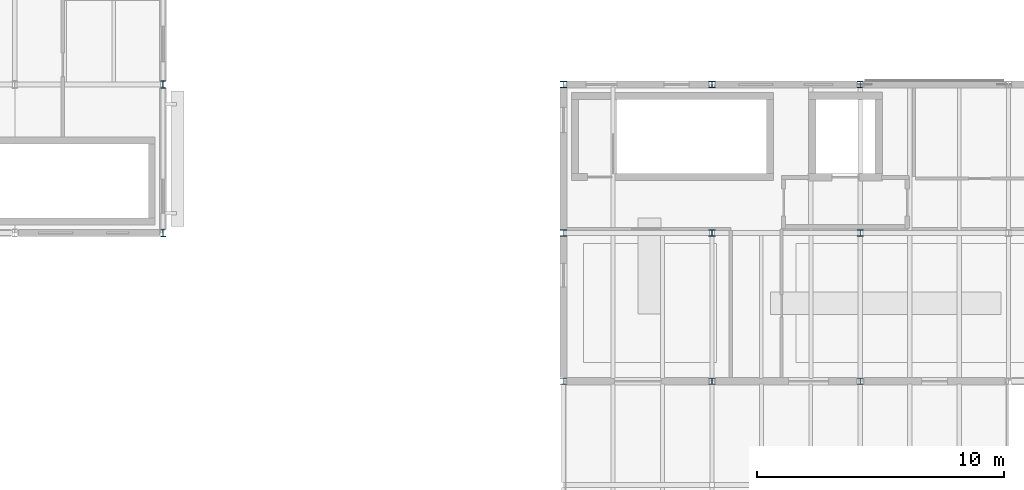
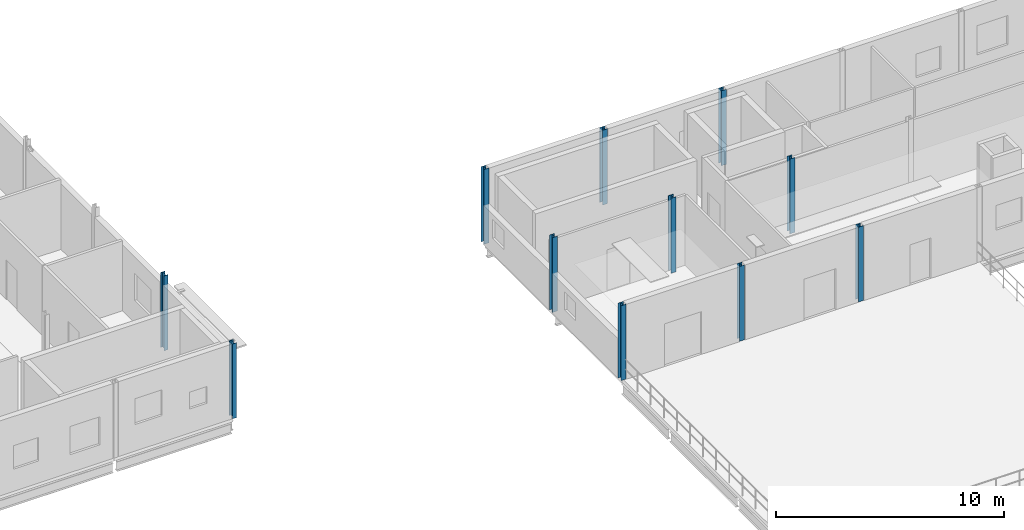
# One storey, part 4 of 45: 11 columns.
"""IFC4 building model written with IfcOpenShell, lengths in metres."""

import ifcopenshell
import ifcopenshell.guid

model = None  # the IFC model being written
_history = None  # IfcOwnerHistory: only IFC2X3 demands one
_inside = {}  # id of a spatial element -> (the spatial element, [elements in it])
_under = {}  # id of a project, library or spatial element -> (it, [spatial elements below it])
_declared = {}  # id of a project -> (the project, [libraries it declares])
_typed = {}  # id of a type object -> (the type object, [elements of that type])
_made_of = {}  # id of a material, layer set ... -> (it, [elements and type objects made of it])


def new_model(schema):
    """Start an empty IFC model of exactly this schema.

    Asked for "IFC4X3", IfcOpenShell would pick the latest addendum, in which some entities
    have other attributes; the version numbers below select the first issue.
    IFC2X3 requires an IfcOwnerHistory on every rooted entity: one is made here for all.
    """
    global model, _history
    if schema == "IFC4X3":
        model = ifcopenshell.file(schema_version=(4, 3, 0, 0))
    else:
        model = ifcopenshell.file(schema=schema)
    _inside.clear()
    _under.clear()
    _declared.clear()
    _typed.clear()
    _made_of.clear()
    _history = None
    if model.schema == "IFC2X3":
        org = make("IfcOrganization", Name="unknown")
        user = make(
            "IfcPersonAndOrganization",
            ThePerson=make("IfcPerson", FamilyName="unknown"),
            TheOrganization=org,
        )
        app = make(
            "IfcApplication",
            ApplicationDeveloper=org,
            Version="unknown",
            ApplicationFullName="unknown",
            ApplicationIdentifier="unknown",
        )
        _history = make(
            "IfcOwnerHistory",
            OwningUser=user,
            OwningApplication=app,
            ChangeAction="ADDED",
            CreationDate=0,
        )
    return model


def make(cls, **values):
    """One entity of the class cls with the attributes given. An attribute that is None is left unset."""
    return model.create_entity(
        cls, **{name: value for name, value in values.items() if value is not None}
    )


def rooted(cls, **values):
    """An entity with a GlobalId (a new one), such as an element, a storey or a relation."""
    return make(cls, GlobalId=ifcopenshell.guid.new(), OwnerHistory=_history, **values)


def si_unit(unit_type, name, prefix=None):
    """IfcSIUnit, for example si_unit("LENGTHUNIT", "METRE", prefix="MILLI")."""
    return make("IfcSIUnit", UnitType=unit_type, Prefix=prefix, Name=name)


def assignment(units):
    """IfcUnitAssignment: the units of a project."""
    return None if units is None else make("IfcUnitAssignment", Units=units)


def point(xyz):
    """IfcCartesianPoint."""
    return None if xyz is None else make("IfcCartesianPoint", Coordinates=xyz)


def direction(xyz):
    """IfcDirection."""
    return None if xyz is None else make("IfcDirection", DirectionRatios=xyz)


def frame(location, z_axis=None, x_axis=None):
    """IfcAxis2Placement3D, a coordinate frame: its origin and axes. An axis left out is left unset."""
    return make(
        "IfcAxis2Placement3D",
        Location=point(location),
        Axis=direction(z_axis),
        RefDirection=direction(x_axis),
    )


def frame_2d(location, x_axis=None):
    """IfcAxis2Placement2D, a coordinate frame in the plane: its origin and x axis."""
    return make(
        "IfcAxis2Placement2D", Location=point(location), RefDirection=direction(x_axis)
    )


def origin():
    """The frame at (0, 0, 0) with its axes left unset."""
    return frame((0.0, 0.0, 0.0))


def origin_2d():
    """The frame at (0, 0) in the plane with its x axis left unset."""
    return frame_2d((0.0, 0.0))


def place(relative_to, where):
    """IfcLocalPlacement: puts the frame where relative to a parent placement (None: the world)."""
    return make(
        "IfcLocalPlacement", PlacementRelTo=relative_to, RelativePlacement=where
    )


def context(
    kind, dimensions, precision=None, world=None, true_north=None, identifier=None
):
    """IfcGeometricRepresentationContext, for example the 3D "Model" context."""
    return make(
        "IfcGeometricRepresentationContext",
        ContextIdentifier=identifier,
        ContextType=kind,
        CoordinateSpaceDimension=dimensions,
        Precision=precision,
        WorldCoordinateSystem=world,
        TrueNorth=true_north,
    )


def subcontext(parent, identifier, kind, view, scale=None):
    """IfcGeometricRepresentationSubContext, for example "Body" below "Model"."""
    return make(
        "IfcGeometricRepresentationSubContext",
        ContextIdentifier=identifier,
        ContextType=kind,
        ParentContext=parent,
        TargetScale=scale,
        TargetView=view,
    )


def project(units=None, contexts=None):
    """IfcProject with its units and contexts."""
    return rooted(
        "IfcProject",
        Name="project",
        RepresentationContexts=contexts,
        UnitsInContext=assignment(units),
    )


def spatial(cls, under=None, at=None, **own):
    """A site, building, storey or space (cls), placed at a placement, below another one or the project."""
    s = rooted(cls, ObjectPlacement=at, **own)
    if under is not None:
        _under.setdefault(under.id(), (under, []))[1].append(s)
    return s


def profile(cls, at=None, kind="AREA", **sizes):
    """A parametric profile (cls). Its sizes go by their IFC names, for example OverallWidth=200.0."""
    return make(cls, ProfileType=kind, Position=at, **sizes)


def i_section(**sizes):
    """IfcIShapeProfileDef."""
    return profile("IfcIShapeProfileDef", **sizes)


def extrude(swept, where, along, depth):
    """IfcExtrudedAreaSolid: the profile swept, set in the frame where, extruded along a direction by depth."""
    return make(
        "IfcExtrudedAreaSolid",
        SweptArea=swept,
        Position=where,
        ExtrudedDirection=direction(along),
        Depth=depth,
    )


def shape(context_of_items, identifier, shape_type, items):
    """IfcShapeRepresentation: the items that make up one representation, for example the "Body"."""
    return make(
        "IfcShapeRepresentation",
        ContextOfItems=context_of_items,
        RepresentationIdentifier=identifier,
        RepresentationType=shape_type,
        Items=items,
    )


def material(Name=None, Category=None):
    """IfcMaterial."""
    return make("IfcMaterial", Name=Name, Category=Category)


def material_profile(
    of_material, cross_section, Name=None, Category=None, Priority=None
):
    """IfcMaterialProfile: a cross section and its material."""
    return make(
        "IfcMaterialProfile",
        Name=Name,
        Material=of_material,
        Profile=cross_section,
        Priority=Priority,
        Category=Category,
    )


def profile_set(profiles, Name=None, composite=None):
    """IfcMaterialProfileSet."""
    return make(
        "IfcMaterialProfileSet",
        Name=Name,
        MaterialProfiles=profiles,
        CompositeProfile=composite,
    )


def made_of(thing, what):
    """Note that an element or type object is made of a material, layer set ...; save() writes the relation."""
    if what is not None:
        _made_of.setdefault(what.id(), (what, []))[1].append(thing)
    return thing


def type_object(cls, material=None, **own):
    """A type object (cls), such as IfcWallType, which elements share."""
    return made_of(rooted(cls, **own), material)


def element(
    cls,
    number,
    at=None,
    inside=None,
    cuts=None,
    type_object=None,
    material=None,
    context=None,
    identifier="Body",
    shape_type=None,
    held_by="IfcProductDefinitionShape",
    body=None,
    shapes=None,
    **own,
):
    """One element of the class cls, such as IfcWall. Its Tag is "e" and its number.

    at: its placement. inside: the storey or other place that contains it. cuts: it is an
    opening in that element (IfcRelVoidsElement). A single representation is given by context,
    identifier, shape_type and body (its items); several are given by shapes. held_by: the class
    of the entity that holds the representations. save() writes the other relations.
    """
    e = rooted(cls, Tag="e%d" % number, ObjectPlacement=at, **own)
    if body is not None:
        shapes = [shape(context, identifier, shape_type, body)]
    if shapes is not None:
        e.Representation = make(held_by, Representations=shapes)
    if inside is not None:
        _inside.setdefault(inside.id(), (inside, []))[1].append(e)
    if cuts is not None:
        rooted(
            "IfcRelVoidsElement", RelatingBuildingElement=cuts, RelatedOpeningElement=e
        )
    if type_object is not None:
        _typed.setdefault(type_object.id(), (type_object, []))[1].append(e)
    return made_of(e, material)


def aggregate(whole, parts):
    """IfcRelAggregates: a whole, such as a stair, and the parts it consists of."""
    return rooted("IfcRelAggregates", RelatingObject=whole, RelatedObjects=parts)


def save(model, path):
    """Write the relations noted so far, then the file.

    IfcRelAggregates (storeys below a building ...), IfcRelContainedInSpatialStructure (elements
    in a storey), IfcRelDefinesByType, IfcRelAssociatesMaterial and IfcRelDeclares: one each for
    every whole, place, type object, material and project.
    """
    for whole, parts in _under.values():
        aggregate(whole, parts)
    for where, things in _inside.values():
        rooted(
            "IfcRelContainedInSpatialStructure",
            RelatedElements=things,
            RelatingStructure=where,
        )
    for kind, things in _typed.values():
        rooted("IfcRelDefinesByType", RelatedObjects=things, RelatingType=kind)
    for what, things in _made_of.values():
        rooted("IfcRelAssociatesMaterial", RelatedObjects=things, RelatingMaterial=what)
    for by, libraries in _declared.values():
        rooted("IfcRelDeclares", RelatingContext=by, RelatedDefinitions=libraries)
    model.write(path)


model = new_model("IFC4")

# Units and contexts
model_context = context("Model", 3, precision=1e-05, world=origin(), true_north=direction((0.0, 1.0)))
body_context = subcontext(model_context, "Body", "Model", "MODEL_VIEW")
ifc_project = project(units=[si_unit("LENGTHUNIT", "METRE"), si_unit("AREAUNIT", "SQUARE_METRE"), si_unit("VOLUMEUNIT", "CUBIC_METRE"), si_unit("PLANEANGLEUNIT", "RADIAN"), si_unit("MASSUNIT", "GRAM", prefix="KILO")], contexts=[model_context])

# Site, building, storey
site_placement = place(None, origin())
site = spatial("IfcSite", under=ifc_project, at=site_placement, CompositionType="ELEMENT")
building_placement = place(site_placement, origin())
building = spatial("IfcBuilding", under=site, at=building_placement, Name="Siltcreek Boulevard Central Fire Station", CompositionType="ELEMENT")
storey_placement = place(building_placement, frame((0.0, 0.0, 10.0)))
storey = spatial("IfcBuildingStorey", under=building, at=storey_placement, Name="L03", CompositionType="ELEMENT", Elevation=10.0)

# Columns
ifc_material = material(Name="Structural steel ASTM A992 Gr50", Category="steel")
ifc_material_profile_1 = material_profile(ifc_material, i_section(OverallWidth=0.25390625, OverallDepth=0.2529296875, WebThickness=0.008544921875, FlangeThickness=0.01416015625, at=origin_2d()), Name="W250X73")
ifc_profile_set_1 = profile_set([ifc_material_profile_1], Name="Structural steel ASTM A992 Gr50")
column_type_1 = type_object("IfcColumnType", Name="COL_W250X73", PredefinedType="COLUMN", material=ifc_profile_set_1)
for number, where, z_axis, x_axis, name in (
    (1, (124.199951171875, 18.0, 0.0), (0.0, 0.0, 1.0), (1.0, 0.0, 0.0), "L03 structural column COLG-L03-1242-180"),
    (2, (124.199951171875, 24.0, 0.0), (0.0, 0.0, 1.0), (1.0, 0.0, 0.0), "L03 structural column COLG-L03-1242-240"),
    (3, (124.199951171875, 30.0, 0.0), (0.0, 0.0, 1.0), (1.0, 0.0, 0.0), "L03 structural column COLG-L03-1242-300"),
    (4, (130.199951171875, 18.0, 0.0), (0.0, 0.0, 1.0), (1.0, 0.0, 0.0), "L03 structural column COLG-L03-1302-180"),
    (5, (130.199951171875, 24.0, 0.0), (0.0, 0.0, 1.0), (1.0, 0.0, 0.0), "L03 structural column COLG-L03-1302-240"),
    (6, (130.199951171875, 30.0, 0.0), (0.0, 0.0, 1.0), (1.0, 0.0, 0.0), "L03 structural column COLG-L03-1302-300"),
    (7, (136.199951171875, 18.0, 0.0), (0.0, 0.0, 1.0), (1.0, 0.0, 0.0), "L03 structural column COLG-L03-1362-180"),
    (8, (136.199951171875, 24.0, 0.0), (0.0, 0.0, 1.0), (1.0, 0.0, 0.0), "L03 structural column COLG-L03-1362-240"),
    (9, (136.199951171875, 30.0, 0.0), (0.0, 0.0, 1.0), (1.0, 0.0, 0.0), "L03 structural column COLG-L03-1362-300"),
):
    element("IfcColumn", number, at=place(storey_placement, frame(where, z_axis=z_axis, x_axis=x_axis)), inside=storey, type_object=column_type_1, Name=name, PredefinedType="COLUMN", context=body_context, shape_type="SweptSolid", body=[
        extrude(i_section(OverallWidth=0.25390625, OverallDepth=0.2529296875, WebThickness=0.008544921875, FlangeThickness=0.01416015625, at=origin_2d()), origin(), (0.0, 0.0, 1.0), 4.0),
    ])
ifc_material_profile_2 = material_profile(ifc_material, i_section(OverallWidth=0.205078125, OverallDepth=0.31005859375, WebThickness=0.009521484375, FlangeThickness=0.016357421875, at=origin_2d()), Name="W310X74")
ifc_profile_set_2 = profile_set([ifc_material_profile_2], Name="Structural steel ASTM A992 Gr50")
column_type_2 = type_object("IfcColumnType", Name="COL_W310X74", PredefinedType="COLUMN", material=ifc_profile_set_2)
for number, where, z_axis, x_axis, name in (
    (10, (108.0, 24.0, 0.0), (0.0, 0.0, 1.0), (1.0, 0.0, 0.0), "L03 structural column COLG-L03-1080-240"),
    (11, (108.0, 30.0, 0.0), (0.0, 0.0, 1.0), (1.0, 0.0, 0.0), "L03 structural column COLG-L03-1080-300"),
):
    element("IfcColumn", number, at=place(storey_placement, frame(where, z_axis=z_axis, x_axis=x_axis)), inside=storey, type_object=column_type_2, Name=name, PredefinedType="COLUMN", context=body_context, shape_type="SweptSolid", body=[
        extrude(i_section(OverallWidth=0.205078125, OverallDepth=0.31005859375, WebThickness=0.009521484375, FlangeThickness=0.016357421875, at=origin_2d()), origin(), (0.0, 0.0, 1.0), 4.0),
    ])

save(model, "model.ifc")
